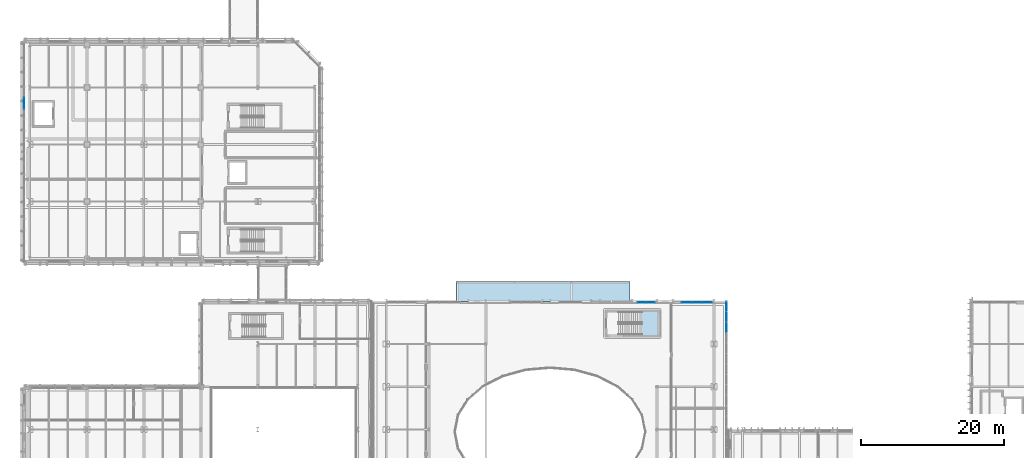
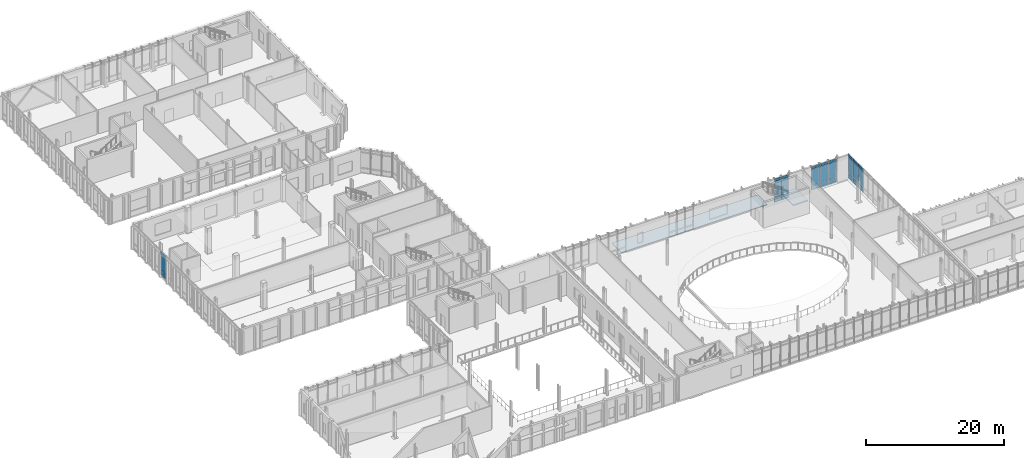
# One storey, part 54 of 100: 27 plates, 2 slabs, 5 elements without a shape of their own.
"""IFC4 building model written with IfcOpenShell, lengths in metres."""

from ifc_helpers import new_model, si_unit, direction, frame, origin, origin_2d, place, context, subcontext, project, spatial, polyline, rectangle, outline, extrude, material, layer, layer_set, type_object, element, aggregate, save


model = new_model("IFC4")

# Units and contexts
model_context = context("Model", 3, precision=1e-05, world=origin(), true_north=direction((0.0, 1.0)))
body_context = subcontext(model_context, "Body", "Model", "MODEL_VIEW")
ifc_project = project(units=[si_unit("LENGTHUNIT", "METRE"), si_unit("AREAUNIT", "SQUARE_METRE"), si_unit("VOLUMEUNIT", "CUBIC_METRE"), si_unit("PLANEANGLEUNIT", "RADIAN"), si_unit("MASSUNIT", "GRAM", prefix="KILO")], contexts=[model_context])

# Site, building, storey
site_placement = place(None, origin())
site = spatial("IfcSite", under=ifc_project, at=site_placement, CompositionType="ELEMENT")
building_placement = place(site_placement, origin())
building = spatial("IfcBuilding", under=site, at=building_placement, Name="Cymarion Research Institute", CompositionType="ELEMENT")
storey_placement = place(building_placement, frame((0.0, 0.0, 4.800048828125)))
storey = spatial("IfcBuildingStorey", under=building, at=storey_placement, Name="L01", CompositionType="ELEMENT", Elevation=4.800048828125)

# Curtain wall, plates
ifc_material_1 = material(Name="Anodised aluminium unitised curtain wall with Low-E glazing", Category="aluminium")
curtain_wall_type_1 = type_object("IfcCurtainWallType", Name="UNITISED CURTAIN WALL CW08 7320X4250", PredefinedType="NOTDEFINED", material=ifc_material_1)
curtain_wall_1_placement = place(storey_placement, origin())
curtain_wall_1 = element("IfcCurtainWall", 1, at=curtain_wall_1_placement, inside=storey, type_object=curtain_wall_type_1, Name="L01 V2 unitised curtain wall CW08 #23", PredefinedType="NOTDEFINED")
ifc_material_2 = material(Name="Insulated anodised aluminium spandrel panel", Category="aluminium")
ifc_layer_1 = layer(ifc_material_2, 0.06005859375)
ifc_layer_set_1 = layer_set([ifc_layer_1], Name="Insulated anodised aluminium spandrel panel")
plate_type_1 = type_object("IfcPlateType", Name="INSULATED ALUMINIUM SPANDREL PANEL SP01 60MM", PredefinedType="SHEET", material=ifc_layer_set_1)
plate_1_placement = place(storey_placement, frame((104.340087890625, 37.840087890625, 0.059814453125), z_axis=(0.0, 0.0, 1.0), x_axis=(0.0, 1.0, 0.0)))
plate_1 = element("IfcPlate", 2, at=plate_1_placement, type_object=plate_type_1, Name="CW08 panel 3.1", PredefinedType="SHEET", context=body_context, shape_type="SweptSolid", body=[
    extrude(rectangle(XDim=1.404052734375, YDim=0.06005859375, at=origin_2d()), origin(), (0.0, 0.0, 1.0), 0.81005859375),
])
plate_2_placement = place(storey_placement, frame((104.340087890625, 37.840087890625, 3.72998046875), z_axis=(0.0, 0.0, 1.0), x_axis=(0.0, 1.0, 0.0)))
plate_2 = element("IfcPlate", 3, at=plate_2_placement, type_object=plate_type_1, Name="CW08 panel 3.3", PredefinedType="SHEET", context=body_context, shape_type="SweptSolid", body=[
    extrude(rectangle(XDim=1.404052734375, YDim=0.06005859375, at=origin_2d()), origin(), (0.0, 0.0, 1.0), 0.4599609375),
])
plate_3_placement = place(storey_placement, frame((104.340087890625, 39.303955078125, 0.059814453125), z_axis=(0.0, 0.0, 1.0), x_axis=(0.0, 1.0, 0.0)))
plate_3 = element("IfcPlate", 4, at=plate_3_placement, type_object=plate_type_1, Name="CW08 panel 4.1", PredefinedType="SHEET", context=body_context, shape_type="SweptSolid", body=[
    extrude(rectangle(XDim=1.404052734375, YDim=0.06005859375, at=origin_2d()), origin(), (0.0, 0.0, 1.0), 0.81005859375),
])
plate_4_placement = place(storey_placement, frame((104.340087890625, 39.303955078125, 3.72998046875), z_axis=(0.0, 0.0, 1.0), x_axis=(0.0, 1.0, 0.0)))
plate_4 = element("IfcPlate", 5, at=plate_4_placement, type_object=plate_type_1, Name="CW08 panel 4.3", PredefinedType="SHEET", context=body_context, shape_type="SweptSolid", body=[
    extrude(rectangle(XDim=1.404052734375, YDim=0.06005859375, at=origin_2d()), origin(), (0.0, 0.0, 1.0), 0.4599609375),
])
plate_5_placement = place(storey_placement, frame((104.340087890625, 40.7529296875, 0.059814453125), z_axis=(0.0, 0.0, 1.0), x_axis=(0.0, 1.0, 0.0)))
plate_5 = element("IfcPlate", 6, at=plate_5_placement, type_object=plate_type_1, Name="CW08 panel 5.1", PredefinedType="SHEET", context=body_context, shape_type="SweptSolid", body=[
    extrude(rectangle(XDim=1.3740234375, YDim=0.06005859375, at=origin_2d()), origin(), (0.0, 0.0, 1.0), 0.81005859375),
])
plate_6_placement = place(storey_placement, frame((104.340087890625, 40.7529296875, 3.72998046875), z_axis=(0.0, 0.0, 1.0), x_axis=(0.0, 1.0, 0.0)))
plate_6 = element("IfcPlate", 7, at=plate_6_placement, type_object=plate_type_1, Name="CW08 panel 5.3", PredefinedType="SHEET", context=body_context, shape_type="SweptSolid", body=[
    extrude(rectangle(XDim=1.3740234375, YDim=0.06005859375, at=origin_2d()), origin(), (0.0, 0.0, 1.0), 0.4599609375),
])

curtain_wall_type_2 = type_object("IfcCurtainWallType", Name="UNITISED CURTAIN WALL CW09 4330X4250", PredefinedType="NOTDEFINED", material=ifc_material_1)
curtain_wall_2_placement = place(storey_placement, origin())
curtain_wall_2 = element("IfcCurtainWall", 8, at=curtain_wall_2_placement, inside=storey, type_object=curtain_wall_type_2, Name="L01 V2 unitised curtain wall CW09 #24", PredefinedType="NOTDEFINED")
plate_7_placement = place(storey_placement, frame((101.603515625, 41.340087890625, 0.059814453125), z_axis=(0.0, 0.0, 1.0), x_axis=(-1.0, 0.0, 0.0)))
plate_7 = element("IfcPlate", 9, at=plate_7_placement, type_object=plate_type_1, Name="CW09 panel 1.1", PredefinedType="SHEET", context=body_context, shape_type="SweptSolid", body=[
    extrude(rectangle(XDim=1.35302734375, YDim=0.06005859375, at=origin_2d()), origin(), (0.0, 0.0, 1.0), 0.81005859375),
])
plate_8_placement = place(storey_placement, frame((101.603515625, 41.340087890625, 3.72998046875), z_axis=(0.0, 0.0, 1.0), x_axis=(-1.0, 0.0, 0.0)))
plate_8 = element("IfcPlate", 10, at=plate_8_placement, type_object=plate_type_1, Name="CW09 panel 1.3", PredefinedType="SHEET", context=body_context, shape_type="SweptSolid", body=[
    extrude(rectangle(XDim=1.35302734375, YDim=0.06005859375, at=origin_2d()), origin(), (0.0, 0.0, 1.0), 0.4599609375),
])
plate_9_placement = place(storey_placement, frame((100.17529296875, 41.340087890625, 0.059814453125), z_axis=(0.0, 0.0, 1.0), x_axis=(-1.0, 0.0, 0.0)))
plate_9 = element("IfcPlate", 11, at=plate_9_placement, type_object=plate_type_1, Name="CW09 panel 2.1", PredefinedType="SHEET", context=body_context, shape_type="SweptSolid", body=[
    extrude(rectangle(XDim=1.383056640625, YDim=0.06005859375, at=origin_2d()), origin(), (0.0, 0.0, 1.0), 0.81005859375),
])
plate_10_placement = place(storey_placement, frame((100.17529296875, 41.340087890625, 3.72998046875), z_axis=(0.0, 0.0, 1.0), x_axis=(-1.0, 0.0, 0.0)))
plate_10 = element("IfcPlate", 12, at=plate_10_placement, type_object=plate_type_1, Name="CW09 panel 2.3", PredefinedType="SHEET", context=body_context, shape_type="SweptSolid", body=[
    extrude(rectangle(XDim=1.383056640625, YDim=0.06005859375, at=origin_2d()), origin(), (0.0, 0.0, 1.0), 0.4599609375),
])
plate_11_placement = place(storey_placement, frame((98.747314453125, 41.340087890625, 0.059814453125), z_axis=(0.0, 0.0, 1.0), x_axis=(-1.0, 0.0, 0.0)))
plate_11 = element("IfcPlate", 13, at=plate_11_placement, type_object=plate_type_1, Name="CW09 panel 3.1", PredefinedType="SHEET", context=body_context, shape_type="SweptSolid", body=[
    extrude(rectangle(XDim=1.35302734375, YDim=0.06005859375, at=origin_2d()), origin(), (0.0, 0.0, 1.0), 0.81005859375),
])
plate_12_placement = place(storey_placement, frame((98.747314453125, 41.340087890625, 3.72998046875), z_axis=(0.0, 0.0, 1.0), x_axis=(-1.0, 0.0, 0.0)))
plate_12 = element("IfcPlate", 14, at=plate_12_placement, type_object=plate_type_1, Name="CW09 panel 3.3", PredefinedType="SHEET", context=body_context, shape_type="SweptSolid", body=[
    extrude(rectangle(XDim=1.35302734375, YDim=0.06005859375, at=origin_2d()), origin(), (0.0, 0.0, 1.0), 0.4599609375),
])

curtain_wall_type_3 = type_object("IfcCurtainWallType", Name="UNITISED CURTAIN WALL CW10 2520X4250", PredefinedType="NOTDEFINED", material=ifc_material_1)
curtain_wall_3_placement = place(storey_placement, origin())
curtain_wall_3 = element("IfcCurtainWall", 15, at=curtain_wall_3_placement, inside=storey, type_object=curtain_wall_type_3, Name="L01 V2 unitised curtain wall CW10 #25", PredefinedType="NOTDEFINED")
plate_13_placement = place(storey_placement, frame((93.69580078125, 41.340087890625, 0.059814453125), z_axis=(0.0, 0.0, 1.0), x_axis=(-1.0, 0.0, 0.0)))
plate_13 = element("IfcPlate", 16, at=plate_13_placement, type_object=plate_type_1, Name="CW10 panel 1.1", PredefinedType="SHEET", context=body_context, shape_type="SweptSolid", body=[
    extrude(rectangle(XDim=1.168212890625, YDim=0.06005859375, at=origin_2d()), origin(), (0.0, 0.0, 1.0), 0.81005859375),
])
plate_14_placement = place(storey_placement, frame((93.69580078125, 41.340087890625, 3.72998046875), z_axis=(0.0, 0.0, 1.0), x_axis=(-1.0, 0.0, 0.0)))
plate_14 = element("IfcPlate", 17, at=plate_14_placement, type_object=plate_type_1, Name="CW10 panel 1.3", PredefinedType="SHEET", context=body_context, shape_type="SweptSolid", body=[
    extrude(rectangle(XDim=1.168212890625, YDim=0.06005859375, at=origin_2d()), origin(), (0.0, 0.0, 1.0), 0.4599609375),
])
plate_15_placement = place(storey_placement, frame((92.467529296875, 41.340087890625, 0.059814453125), z_axis=(0.0, 0.0, 1.0), x_axis=(-1.0, 0.0, 0.0)))
plate_15 = element("IfcPlate", 18, at=plate_15_placement, type_object=plate_type_1, Name="CW10 panel 2.1", PredefinedType="SHEET", context=body_context, shape_type="SweptSolid", body=[
    extrude(rectangle(XDim=1.168212890625, YDim=0.06005859375, at=origin_2d()), origin(), (0.0, 0.0, 1.0), 0.81005859375),
])
plate_16_placement = place(storey_placement, frame((92.467529296875, 41.340087890625, 3.72998046875), z_axis=(0.0, 0.0, 1.0), x_axis=(-1.0, 0.0, 0.0)))
plate_16 = element("IfcPlate", 19, at=plate_16_placement, type_object=plate_type_1, Name="CW10 panel 2.3", PredefinedType="SHEET", context=body_context, shape_type="SweptSolid", body=[
    extrude(rectangle(XDim=1.168212890625, YDim=0.06005859375, at=origin_2d()), origin(), (0.0, 0.0, 1.0), 0.4599609375),
])

curtain_wall_type_4 = type_object("IfcCurtainWallType", Name="UNITISED CURTAIN WALL CW22 6180X4250", PredefinedType="NOTDEFINED", material=ifc_material_1)
curtain_wall_4_placement = place(storey_placement, origin())
curtain_wall_4 = element("IfcCurtainWall", 20, at=curtain_wall_4_placement, inside=storey, type_object=curtain_wall_type_4, Name="L01 V4 unitised curtain wall CW22 #45", PredefinedType="NOTDEFINED")
plate_17_placement = place(storey_placement, frame((5.77001953125, 69.28662109375, 0.059814453125), z_axis=(0.0, 0.0, 1.0), x_axis=(0.0, -1.0, 0.0)))
plate_17 = element("IfcPlate", 21, at=plate_17_placement, type_object=plate_type_1, Name="CW22 panel 2.1", PredefinedType="SHEET", context=body_context, shape_type="SweptSolid", body=[
    extrude(rectangle(XDim=1.48388671875, YDim=0.06005859375, at=origin_2d()), origin(), (0.0, 0.0, 1.0), 0.81005859375),
])
plate_18_placement = place(storey_placement, frame((5.77001953125, 69.28662109375, 3.72998046875), z_axis=(0.0, 0.0, 1.0), x_axis=(0.0, -1.0, 0.0)))
plate_18 = element("IfcPlate", 22, at=plate_18_placement, type_object=plate_type_1, Name="CW22 panel 2.3", PredefinedType="SHEET", context=body_context, shape_type="SweptSolid", body=[
    extrude(rectangle(XDim=1.48388671875, YDim=0.06005859375, at=origin_2d()), origin(), (0.0, 0.0, 1.0), 0.4599609375),
])

# Stair, slab
ifc_material_3 = material(Name="Concrete C35/45", Category="concrete")
stair_type = type_object("IfcStairType", Name="REINFORCED CONCRETE DOGLEG STAIR STR-4500", PredefinedType="HALF_TURN_STAIR", material=ifc_material_3)
stair_placement = place(storey_placement, origin())
stair = element("IfcStair", 23, at=stair_placement, inside=storey, type_object=stair_type, Name="L01 Core C4 Smoke-Proof Exit Stair ST4", PredefinedType="HALF_TURN_STAIR")
ifc_layer_2 = layer(ifc_material_3, 0.199951171875)
ifc_layer_set_2 = layer_set([ifc_layer_2], Name="Concrete C35/45")
slab_type_1 = type_object("IfcSlabType", Name="REINFORCED CONCRETE STAIR LANDING LDG200", PredefinedType="LANDING", material=ifc_layer_set_2)
slab_1_placement = place(storey_placement, frame((0.0, 0.0, 2.050048828125)))
slab_1 = element("IfcSlab", 24, at=slab_1_placement, type_object=slab_type_1, Name="ST4 landing 1", PredefinedType="LANDING", context=body_context, shape_type="SweptSolid", body=[
    extrude(outline(polyline([(92.3798828125, 36.679931640625), (92.3798828125, 40.1201171875), (94.820068359375, 40.1201171875), (94.820068359375, 36.679931640625), (92.3798828125, 36.679931640625)])), origin(), (0.0, 0.0, 1.0), 0.199951171875),
])
aggregate(stair, [slab_1])

# Slab
ifc_layer_3 = layer(ifc_material_3, 0.139892578125)
ifc_layer_set_3 = layer_set([ifc_layer_3], Name="Concrete C35/45")
slab_type_2 = type_object("IfcSlabType", Name="ROOF SLAB SL-CN140 140MM", PredefinedType="ROOF", material=ifc_layer_set_3)
slab_2_placement = place(storey_placement, frame((0.0, 0.0, -0.14013671875)))
element("IfcSlab", 25, at=slab_2_placement, inside=storey, type_object=slab_type_2, Name="L01 Interaction Atrium forecourt entrance canopy", PredefinedType="ROOF", context=body_context, shape_type="SweptSolid", body=[
    extrude(outline(polyline([(66.39990234375, 41.5), (90.800048828125, 41.5), (90.800048828125, 44.300048828125), (66.39990234375, 44.300048828125), (66.39990234375, 41.5)])), origin(), (0.0, 0.0, 1.0), 0.14013671875),
])

# Plate
ifc_material_4 = material(Name="Low-E double solar-control glazing", Category="glass")
ifc_layer_4 = layer(ifc_material_4, 0.035888671875)
ifc_layer_set_4 = layer_set([ifc_layer_4], Name="Low-E double solar-control glazing")
plate_type_2 = type_object("IfcPlateType", Name="SOLAR CONTROL GLAZED VISION PANEL GP01 36MM", PredefinedType="CURTAIN_PANEL", material=ifc_layer_set_4)
plate_19_placement = place(storey_placement, frame((104.340087890625, 37.840087890625, 0.93017578125), z_axis=(0.0, 0.0, 1.0), x_axis=(0.0, 1.0, 0.0)))
plate_19 = element("IfcPlate", 26, at=plate_19_placement, type_object=plate_type_2, Name="CW08 panel 3.2", PredefinedType="CURTAIN_PANEL", context=body_context, shape_type="SweptSolid", body=[
    extrude(rectangle(XDim=1.404052734375, YDim=0.035888671875, at=origin_2d()), origin(), (0.0, 0.0, 1.0), 2.739990234375),
])

plate_20_placement = place(storey_placement, frame((104.340087890625, 39.303955078125, 0.93017578125), z_axis=(0.0, 0.0, 1.0), x_axis=(0.0, 1.0, 0.0)))
plate_20 = element("IfcPlate", 27, at=plate_20_placement, type_object=plate_type_2, Name="CW08 panel 4.2", PredefinedType="CURTAIN_PANEL", context=body_context, shape_type="SweptSolid", body=[
    extrude(rectangle(XDim=1.404052734375, YDim=0.035888671875, at=origin_2d()), origin(), (0.0, 0.0, 1.0), 2.739990234375),
])

plate_21_placement = place(storey_placement, frame((104.340087890625, 40.7529296875, 0.93017578125), z_axis=(0.0, 0.0, 1.0), x_axis=(0.0, 1.0, 0.0)))
plate_21 = element("IfcPlate", 28, at=plate_21_placement, type_object=plate_type_2, Name="CW08 panel 5.2", PredefinedType="CURTAIN_PANEL", context=body_context, shape_type="SweptSolid", body=[
    extrude(rectangle(XDim=1.3740234375, YDim=0.035888671875, at=origin_2d()), origin(), (0.0, 0.0, 1.0), 2.739990234375),
])

aggregate(curtain_wall_1, [plate_1, plate_19, plate_2, plate_3, plate_20, plate_4, plate_5, plate_21, plate_6])

plate_22_placement = place(storey_placement, frame((101.603515625, 41.340087890625, 0.93017578125), z_axis=(0.0, 0.0, 1.0), x_axis=(-1.0, 0.0, 0.0)))
plate_22 = element("IfcPlate", 29, at=plate_22_placement, type_object=plate_type_2, Name="CW09 panel 1.2", PredefinedType="CURTAIN_PANEL", context=body_context, shape_type="SweptSolid", body=[
    extrude(rectangle(XDim=1.35302734375, YDim=0.035888671875, at=origin_2d()), origin(), (0.0, 0.0, 1.0), 2.739990234375),
])

plate_23_placement = place(storey_placement, frame((100.17529296875, 41.340087890625, 0.93017578125), z_axis=(0.0, 0.0, 1.0), x_axis=(-1.0, 0.0, 0.0)))
plate_23 = element("IfcPlate", 30, at=plate_23_placement, type_object=plate_type_2, Name="CW09 panel 2.2", PredefinedType="CURTAIN_PANEL", context=body_context, shape_type="SweptSolid", body=[
    extrude(rectangle(XDim=1.383056640625, YDim=0.035888671875, at=origin_2d()), origin(), (0.0, 0.0, 1.0), 2.739990234375),
])

plate_24_placement = place(storey_placement, frame((98.747314453125, 41.340087890625, 0.93017578125), z_axis=(0.0, 0.0, 1.0), x_axis=(-1.0, 0.0, 0.0)))
plate_24 = element("IfcPlate", 31, at=plate_24_placement, type_object=plate_type_2, Name="CW09 panel 3.2", PredefinedType="CURTAIN_PANEL", context=body_context, shape_type="SweptSolid", body=[
    extrude(rectangle(XDim=1.35302734375, YDim=0.035888671875, at=origin_2d()), origin(), (0.0, 0.0, 1.0), 2.739990234375),
])

aggregate(curtain_wall_2, [plate_7, plate_22, plate_8, plate_9, plate_23, plate_10, plate_11, plate_24, plate_12])

plate_25_placement = place(storey_placement, frame((93.69580078125, 41.340087890625, 0.93017578125), z_axis=(0.0, 0.0, 1.0), x_axis=(-1.0, 0.0, 0.0)))
plate_25 = element("IfcPlate", 32, at=plate_25_placement, type_object=plate_type_2, Name="CW10 panel 1.2", PredefinedType="CURTAIN_PANEL", context=body_context, shape_type="SweptSolid", body=[
    extrude(rectangle(XDim=1.168212890625, YDim=0.035888671875, at=origin_2d()), origin(), (0.0, 0.0, 1.0), 2.739990234375),
])

plate_26_placement = place(storey_placement, frame((92.467529296875, 41.340087890625, 0.93017578125), z_axis=(0.0, 0.0, 1.0), x_axis=(-1.0, 0.0, 0.0)))
plate_26 = element("IfcPlate", 33, at=plate_26_placement, type_object=plate_type_2, Name="CW10 panel 2.2", PredefinedType="CURTAIN_PANEL", context=body_context, shape_type="SweptSolid", body=[
    extrude(rectangle(XDim=1.168212890625, YDim=0.035888671875, at=origin_2d()), origin(), (0.0, 0.0, 1.0), 2.739990234375),
])

aggregate(curtain_wall_3, [plate_13, plate_25, plate_14, plate_15, plate_26, plate_16])

plate_27_placement = place(storey_placement, frame((5.77001953125, 69.28662109375, 0.93017578125), z_axis=(0.0, 0.0, 1.0), x_axis=(0.0, -1.0, 0.0)))
plate_27 = element("IfcPlate", 34, at=plate_27_placement, type_object=plate_type_2, Name="CW22 panel 2.2", PredefinedType="CURTAIN_PANEL", context=body_context, shape_type="SweptSolid", body=[
    extrude(rectangle(XDim=1.48388671875, YDim=0.035888671875, at=origin_2d()), origin(), (0.0, 0.0, 1.0), 2.739990234375),
])

aggregate(curtain_wall_4, [plate_17, plate_27, plate_18])

save(model, "model.ifc")
